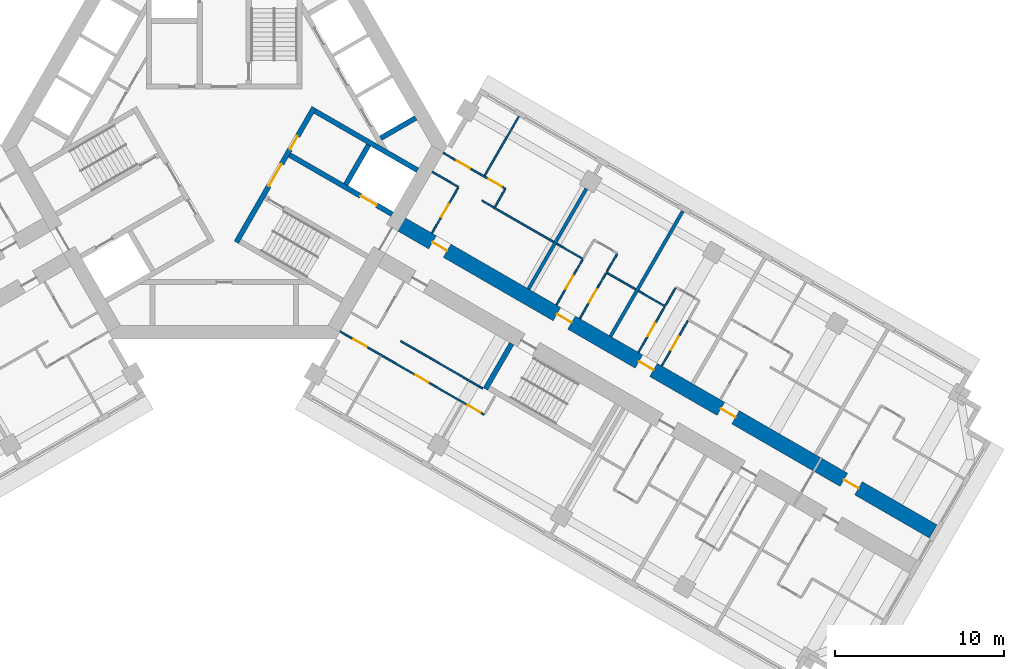
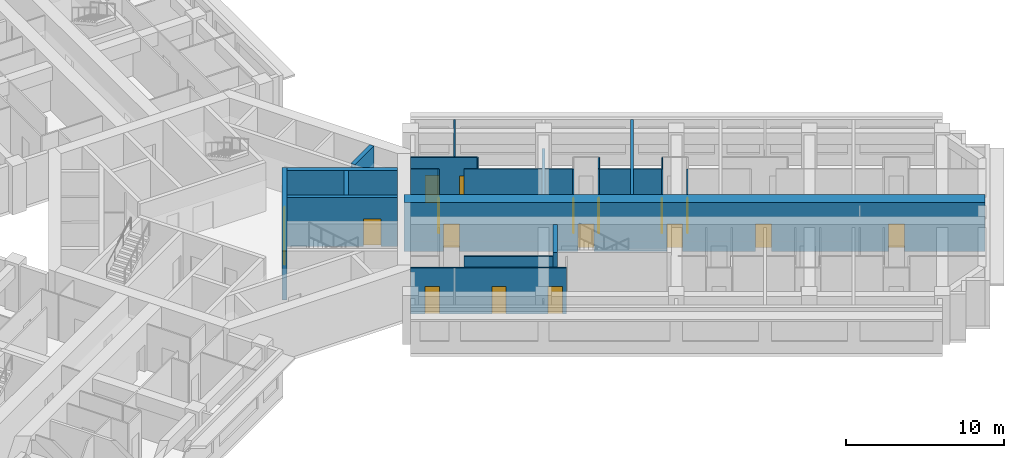
# One storey, part 7 of 15: 26 walls, 18 doors, 18 openings.
"""IFC4 building model written with IfcOpenShell, lengths in metres."""

from ifc_helpers import new_model, si_unit, direction, frame, frame_2d, origin, place, context, subcontext, project, spatial, rectangle, extrude, material, layer, layer_set, type_object, element, fill, save


model = new_model("IFC4")

# Units and contexts
model_context = context("Model", 3, precision=1e-05, world=origin(), true_north=direction((0.0, 1.0)))
body_context = subcontext(model_context, "Body", "Model", "MODEL_VIEW")
ifc_project = project(units=[si_unit("LENGTHUNIT", "METRE"), si_unit("AREAUNIT", "SQUARE_METRE"), si_unit("VOLUMEUNIT", "CUBIC_METRE"), si_unit("PLANEANGLEUNIT", "RADIAN"), si_unit("MASSUNIT", "GRAM", prefix="KILO")], contexts=[model_context])

# Site, building, storey
site_placement = place(None, origin())
site = spatial("IfcSite", under=ifc_project, at=site_placement, CompositionType="ELEMENT")
building_placement = place(site_placement, origin())
building = spatial("IfcBuilding", under=site, at=building_placement, Name="Impinga Residences", CompositionType="ELEMENT")
storey_placement = place(building_placement, frame((0.0, 0.0, 132.25)))
storey = spatial("IfcBuildingStorey", under=building, at=storey_placement, Name="L32", CompositionType="ELEMENT", Elevation=132.25)

# Wall, openings, doors
ifc_material_1 = material(Name="Concrete C60/75", Category="concrete")
ifc_layer_1 = layer(ifc_material_1, 0.89990234375)
ifc_layer_set_1 = layer_set([ifc_layer_1], Name="Concrete C60/75")
wall_type_1 = type_object("IfcWallType", Name="BW2 corridor buttress wall, L24 to L44 900", PredefinedType="SHEAR", material=ifc_layer_set_1)
wall_1_placement = place(storey_placement, frame((10.153564453125, -4.4765625, 0.0), z_axis=(0.0, 0.0, 1.0), x_axis=(0.866027614434, -0.499996171023, 0.0)))
wall_1 = element("IfcWall", 1, at=wall_1_placement, inside=storey, type_object=wall_type_1, Name="Corridor wall BW2 EC L32", PredefinedType="SHEAR", context=body_context, shape_type="SweptSolid", body=[
    extrude(rectangle(XDim=36.699951171875, YDim=0.89990234375, at=frame_2d((18.35009765625, 0.0))), origin(), (0.0, 0.0, 1.0), 3.75),
])
opening_1_placement = place(wall_1_placement, frame((2.5, 0.0, 0.0)))
opening_1 = element("IfcOpeningElement", 2, at=opening_1_placement, cuts=wall_1, Name="Opening D1", PredefinedType="OPENING", context=body_context, shape_type="SweptSolid", body=[
    extrude(rectangle(XDim=1.0, YDim=2.10009765625, at=frame_2d((0.5, 1.050048828125))), frame((0.0, 0.4599609375, 0.0), z_axis=(0.0, -1.0, 0.0), x_axis=(1.0, 0.0, 0.0)), (0.0, 0.0, 1.0), 0.919921875),
])
opening_2_placement = place(wall_1_placement, frame((11.0, 0.0, 0.0)))
opening_2 = element("IfcOpeningElement", 3, at=opening_2_placement, cuts=wall_1, Name="Opening D1", PredefinedType="OPENING", context=body_context, shape_type="SweptSolid", body=[
    extrude(rectangle(XDim=1.0, YDim=2.10009765625, at=frame_2d((0.5, 1.050048828125))), frame((0.0, 0.4599609375, 0.0), z_axis=(0.0, -1.0, 0.0), x_axis=(1.0, 0.0, 0.0)), (0.0, 0.0, 1.0), 0.919921875),
])
opening_3_placement = place(wall_1_placement, frame((16.60009765625, 0.0, 0.0)))
opening_3 = element("IfcOpeningElement", 4, at=opening_3_placement, cuts=wall_1, Name="Opening D1", PredefinedType="OPENING", context=body_context, shape_type="SweptSolid", body=[
    extrude(rectangle(XDim=1.0, YDim=2.10009765625, at=frame_2d((0.5, 1.050048828125))), frame((0.0, 0.4599609375, 0.0), z_axis=(0.0, -1.0, 0.0), x_axis=(1.0, 0.0, 0.0)), (0.0, 0.0, 1.0), 0.919921875),
])
opening_4_placement = place(wall_1_placement, frame((22.199951171875, 0.0, 0.0)))
opening_4 = element("IfcOpeningElement", 5, at=opening_4_placement, cuts=wall_1, Name="Opening D1", PredefinedType="OPENING", context=body_context, shape_type="SweptSolid", body=[
    extrude(rectangle(XDim=1.0, YDim=2.10009765625, at=frame_2d((0.5, 1.050048828125))), frame((0.0, 0.4599609375, 0.0), z_axis=(0.0, -1.0, 0.0), x_axis=(1.0, 0.0, 0.0)), (0.0, 0.0, 1.0), 0.919921875),
])
opening_5_placement = place(wall_1_placement, frame((30.60009765625, 0.0, 0.0)))
opening_5 = element("IfcOpeningElement", 6, at=opening_5_placement, cuts=wall_1, Name="Opening D1", PredefinedType="OPENING", context=body_context, shape_type="SweptSolid", body=[
    extrude(rectangle(XDim=1.0, YDim=2.10009765625, at=frame_2d((0.5, 1.050048828125))), frame((0.0, 0.4599609375, 0.0), z_axis=(0.0, -1.0, 0.0), x_axis=(1.0, 0.0, 0.0)), (0.0, 0.0, 1.0), 0.919921875),
])
ifc_material_2 = material(Name="Timber door set", Category="wood")
door_type_1 = type_object("IfcDoorType", Name="D1 apartment entrance door 1000x2100", OperationType="SINGLE_SWING_LEFT", PredefinedType="DOOR", material=ifc_material_2)
door_1_placement = place(opening_1_placement, origin())
door_1 = element("IfcDoor", 7, at=door_1_placement, inside=storey, type_object=door_type_1, Name="Apartment L32-EA1 entrance", OperationType="SINGLE_SWING_LEFT", OverallHeight=2.10009765625, OverallWidth=1.0, PredefinedType="DOOR", context=body_context, shape_type="SweptSolid", body=[
    extrude(rectangle(XDim=1.0, YDim=2.10009765625, at=frame_2d((0.5, 1.050048828125))), frame((0.0, 0.02490234375, 0.0), z_axis=(0.0, -1.0, 0.0), x_axis=(1.0, 0.0, 0.0)), (0.0, 0.0, 1.0), 0.050048828125),
])
fill(opening_1, door_1)
door_2_placement = place(opening_2_placement, origin())
door_2 = element("IfcDoor", 8, at=door_2_placement, inside=storey, type_object=door_type_1, Name="Apartment L32-EA2 entrance", OperationType="SINGLE_SWING_LEFT", OverallHeight=2.10009765625, OverallWidth=1.0, PredefinedType="DOOR", context=body_context, shape_type="SweptSolid", body=[
    extrude(rectangle(XDim=1.0, YDim=2.10009765625, at=frame_2d((0.5, 1.050048828125))), frame((0.0, 0.02490234375, 0.0), z_axis=(0.0, -1.0, 0.0), x_axis=(1.0, 0.0, 0.0)), (0.0, 0.0, 1.0), 0.050048828125),
])
fill(opening_2, door_2)
door_3_placement = place(opening_3_placement, origin())
door_3 = element("IfcDoor", 9, at=door_3_placement, inside=storey, type_object=door_type_1, Name="Apartment L32-EA3 entrance", OperationType="SINGLE_SWING_LEFT", OverallHeight=2.10009765625, OverallWidth=1.0, PredefinedType="DOOR", context=body_context, shape_type="SweptSolid", body=[
    extrude(rectangle(XDim=1.0, YDim=2.10009765625, at=frame_2d((0.5, 1.050048828125))), frame((0.0, 0.02490234375, 0.0), z_axis=(0.0, -1.0, 0.0), x_axis=(1.0, 0.0, 0.0)), (0.0, 0.0, 1.0), 0.050048828125),
])
fill(opening_3, door_3)
door_4_placement = place(opening_4_placement, origin())
door_4 = element("IfcDoor", 10, at=door_4_placement, inside=storey, type_object=door_type_1, Name="Apartment L32-EA4 entrance", OperationType="SINGLE_SWING_RIGHT", OverallHeight=2.10009765625, OverallWidth=1.0, PredefinedType="DOOR", context=body_context, shape_type="SweptSolid", body=[
    extrude(rectangle(XDim=1.0, YDim=2.10009765625, at=frame_2d((0.5, 1.050048828125))), frame((0.0, 0.02490234375, 0.0), z_axis=(0.0, -1.0, 0.0), x_axis=(1.0, 0.0, 0.0)), (0.0, 0.0, 1.0), 0.050048828125),
])
fill(opening_4, door_4)
door_5_placement = place(opening_5_placement, origin())
door_5 = element("IfcDoor", 11, at=door_5_placement, inside=storey, type_object=door_type_1, Name="Apartment L32-EA5 entrance", OperationType="SINGLE_SWING_RIGHT", OverallHeight=2.10009765625, OverallWidth=1.0, PredefinedType="DOOR", context=body_context, shape_type="SweptSolid", body=[
    extrude(rectangle(XDim=1.0, YDim=2.10009765625, at=frame_2d((0.5, 1.050048828125))), frame((0.0, 0.02490234375, 0.0), z_axis=(0.0, -1.0, 0.0), x_axis=(1.0, 0.0, 0.0)), (0.0, 0.0, 1.0), 0.050048828125),
])
fill(opening_5, door_5)

# Walls
ifc_material_3 = material(Name="Gypsum board on steel studs", Category="steel")
ifc_layer_2 = layer(ifc_material_3, 0.10009765625)
ifc_layer_set_2 = layer_set([ifc_layer_2], Name="Gypsum board on steel studs")
wall_type_2 = type_object("IfcWallType", Name="IP1 partition 100", PredefinedType="PARTITIONING", material=ifc_layer_set_2)
wall_2_placement = place(storey_placement, frame((12.300048828125, -1.558837890625, 0.0), z_axis=(0.0, 0.0, 1.0), x_axis=(0.866047807691, -0.499961193289, 0.0)))
element("IfcWall", 12, at=wall_2_placement, inside=storey, type_object=wall_type_2, Name="Partition L32-EA1:DIV0", PredefinedType="PARTITIONING", context=body_context, shape_type="SweptSolid", body=[
    extrude(rectangle(XDim=1.800048828125, YDim=0.10009765625, at=frame_2d((0.89990234375, 0.0))), origin(), (0.0, 0.0, 1.0), 3.530029296875),
])
wall_3_placement = place(storey_placement, frame((15.244384765625, -3.2587890625, 0.0), z_axis=(0.0, 0.0, 1.0), x_axis=(0.866036242063, -0.49998122708, 0.0)))
element("IfcWall", 13, at=wall_3_placement, inside=storey, type_object=wall_type_2, Name="Partition L32-EA1:DIV1", PredefinedType="PARTITIONING", context=body_context, shape_type="SweptSolid", body=[
    extrude(rectangle(XDim=4.900146484375, YDim=0.10009765625, at=frame_2d((2.4501953125, 0.0))), origin(), (0.0, 0.0, 1.0), 3.530029296875),
])

# Wall, openings, doors
wall_4_placement = place(storey_placement, frame((12.949951171875, -0.43310546875, 0.0), z_axis=(0.0, 0.0, 1.0), x_axis=(0.866028703517, -0.499994284652, 0.0)))
wall_4 = element("IfcWall", 14, at=wall_4_placement, inside=storey, type_object=wall_type_2, Name="Partition L32-EA1:STRIP", PredefinedType="PARTITIONING", context=body_context, shape_type="SweptSolid", body=[
    extrude(rectangle(XDim=4.25, YDim=0.10009765625, at=frame_2d((2.125, 0.0))), origin(), (0.0, 0.0, 1.0), 3.530029296875),
])
opening_6_placement = place(wall_4_placement, frame((0.925048828125, 0.0, 0.0)))
opening_6 = element("IfcOpeningElement", 15, at=opening_6_placement, cuts=wall_4, Name="Opening D2", PredefinedType="OPENING", context=body_context, shape_type="SweptSolid", body=[
    extrude(rectangle(XDim=0.89990234375, YDim=2.10009765625, at=frame_2d((0.449951171875, 1.050048828125))), frame((0.0, 0.06005859375, 0.0), z_axis=(0.0, -1.0, 0.0), x_axis=(1.0, 0.0, 0.0)), (0.0, 0.0, 1.0), 0.1201171875),
])
opening_7_placement = place(wall_4_placement, frame((3.10009765625, 0.0, 0.0)))
opening_7 = element("IfcOpeningElement", 16, at=opening_7_placement, cuts=wall_4, Name="Opening D2", PredefinedType="OPENING", context=body_context, shape_type="SweptSolid", body=[
    extrude(rectangle(XDim=0.89990234375, YDim=2.10009765625, at=frame_2d((0.449951171875, 1.050048828125))), frame((0.0, 0.06005859375, 0.0), z_axis=(0.0, -1.0, 0.0), x_axis=(1.0, 0.0, 0.0)), (0.0, 0.0, 1.0), 0.1201171875),
])
door_type_2 = type_object("IfcDoorType", Name="D2 internal door 900x2100", OperationType="SINGLE_SWING_LEFT", PredefinedType="DOOR", material=ifc_material_2)
door_6_placement = place(opening_6_placement, origin())
door_6 = element("IfcDoor", 17, at=door_6_placement, inside=storey, type_object=door_type_2, Name="Apartment L32-EA1 room door", OperationType="SINGLE_SWING_LEFT", OverallHeight=2.10009765625, OverallWidth=0.89990234375, PredefinedType="DOOR", context=body_context, shape_type="SweptSolid", body=[
    extrude(rectangle(XDim=0.89990234375, YDim=2.10009765625, at=frame_2d((0.449951171875, 1.050048828125))), frame((0.0, 0.02490234375, 0.0), z_axis=(0.0, -1.0, 0.0), x_axis=(1.0, 0.0, 0.0)), (0.0, 0.0, 1.0), 0.050048828125),
])
fill(opening_6, door_6)
door_7_placement = place(opening_7_placement, origin())
door_7 = element("IfcDoor", 18, at=door_7_placement, inside=storey, type_object=door_type_2, Name="Apartment L32-EA1 room door", OperationType="SINGLE_SWING_RIGHT", OverallHeight=2.10009765625, OverallWidth=0.89990234375, PredefinedType="DOOR", context=body_context, shape_type="SweptSolid", body=[
    extrude(rectangle(XDim=0.89990234375, YDim=2.10009765625, at=frame_2d((0.449951171875, 1.050048828125))), frame((0.0, 0.02490234375, 0.0), z_axis=(0.0, -1.0, 0.0), x_axis=(1.0, 0.0, 0.0)), (0.0, 0.0, 1.0), 0.050048828125),
])
fill(opening_7, door_7)

# Wall
wall_5_placement = place(storey_placement, frame((16.005615234375, -3.640625, 0.0), z_axis=(0.0, 0.0, 1.0), x_axis=(0.500033551112, 0.866006032174, 0.0)))
element("IfcWall", 19, at=wall_5_placement, inside=storey, type_object=wall_type_2, Name="Partition L32-EA1:SE1", PredefinedType="PARTITIONING", context=body_context, shape_type="SweptSolid", body=[
    extrude(rectangle(XDim=1.2001953125, YDim=0.10009765625, at=frame_2d((0.60009765625, 0.0))), origin(), (0.0, 0.0, 1.0), 3.530029296875),
])

# Wall, opening, door
wall_6_placement = place(storey_placement, frame((12.283935546875, -5.186767578125, 0.0), z_axis=(0.0, 0.0, 1.0), x_axis=(0.499967891604, 0.866043940782, 0.0)))
wall_6 = element("IfcWall", 20, at=wall_6_placement, inside=storey, type_object=wall_type_2, Name="Partition L32-EA1:IB1", PredefinedType="PARTITIONING", context=body_context, shape_type="SweptSolid", body=[
    extrude(rectangle(XDim=3.099853515625, YDim=0.10009765625, at=frame_2d((1.5498046875, 0.0))), origin(), (0.0, 0.0, 1.0), 3.530029296875),
])
opening_8_placement = place(wall_6_placement, frame((1.10009765625, 0.0, 0.0)))
opening_8 = element("IfcOpeningElement", 21, at=opening_8_placement, cuts=wall_6, Name="Opening D2", PredefinedType="OPENING", context=body_context, shape_type="SweptSolid", body=[
    extrude(rectangle(XDim=0.89990234375, YDim=2.10009765625, at=frame_2d((0.449951171875, 1.050048828125))), frame((0.0, 0.06005859375, 0.0), z_axis=(0.0, -1.0, 0.0), x_axis=(1.0, 0.0, 0.0)), (0.0, 0.0, 1.0), 0.1201171875),
])
door_8_placement = place(opening_8_placement, origin())
door_8 = element("IfcDoor", 22, at=door_8_placement, inside=storey, type_object=door_type_2, Name="Apartment L32-EA1 bathroom door", OperationType="SINGLE_SWING_LEFT", OverallHeight=2.10009765625, OverallWidth=0.89990234375, PredefinedType="DOOR", context=body_context, shape_type="SweptSolid", body=[
    extrude(rectangle(XDim=0.89990234375, YDim=2.10009765625, at=frame_2d((0.449951171875, 1.050048828125))), frame((0.0, 0.02490234375, 0.0), z_axis=(0.0, -1.0, 0.0), x_axis=(1.0, 0.0, 0.0)), (0.0, 0.0, 1.0), 0.050048828125),
])
fill(opening_8, door_8)

# Walls
wall_7_placement = place(storey_placement, frame((15.39990234375, -1.789794921875, 0.0), z_axis=(0.0, 0.0, 1.0), x_axis=(0.499964223975, 0.866046058097, 0.0)))
element("IfcWall", 23, at=wall_7_placement, inside=storey, type_object=wall_type_2, Name="Partition L32-EA1:OB1", PredefinedType="PARTITIONING", context=body_context, shape_type="SweptSolid", body=[
    extrude(rectangle(XDim=4.050048828125, YDim=0.10009765625, at=frame_2d((2.02490234375, 0.0))), origin(), (0.0, 0.0, 1.0), 3.530029296875),
])
wall_8_placement = place(storey_placement, frame((19.6611328125, -5.808837890625, 0.0), z_axis=(0.0, 0.0, 1.0), x_axis=(0.866047807691, -0.499961193289, 0.0)))
element("IfcWall", 24, at=wall_8_placement, inside=storey, type_object=wall_type_2, Name="Partition L32-EA2:DIV0", PredefinedType="PARTITIONING", context=body_context, shape_type="SweptSolid", body=[
    extrude(rectangle(XDim=1.800048828125, YDim=0.10009765625, at=frame_2d((0.89990234375, 0.0))), origin(), (0.0, 0.0, 1.0), 3.530029296875),
])
wall_9_placement = place(storey_placement, frame((22.605712890625, -7.5087890625, 0.0), z_axis=(0.0, 0.0, 1.0), x_axis=(0.866010750942, -0.50002537861, 0.0)))
element("IfcWall", 25, at=wall_9_placement, inside=storey, type_object=wall_type_2, Name="Partition L32-EA2:DIV1", PredefinedType="PARTITIONING", context=body_context, shape_type="SweptSolid", body=[
    extrude(rectangle(XDim=2.0, YDim=0.10009765625, at=frame_2d((1.0, 0.0))), origin(), (0.0, 0.0, 1.0), 3.530029296875),
])
wall_10_placement = place(storey_placement, frame((22.630615234375, -7.465576171875, 0.0), z_axis=(0.0, 0.0, 1.0), x_axis=(0.500033551112, 0.866006032174, 0.0)))
element("IfcWall", 26, at=wall_10_placement, inside=storey, type_object=wall_type_2, Name="Partition L32-EA2:SE1", PredefinedType="PARTITIONING", context=body_context, shape_type="SweptSolid", body=[
    extrude(rectangle(XDim=1.2001953125, YDim=0.10009765625, at=frame_2d((0.60009765625, 0.0))), origin(), (0.0, 0.0, 1.0), 3.530029296875),
])

# Wall, opening, door
wall_11_placement = place(storey_placement, frame((19.64501953125, -9.436767578125, 0.0), z_axis=(0.0, 0.0, 1.0), x_axis=(0.500026960575, 0.86600983753, 0.0)))
wall_11 = element("IfcWall", 27, at=wall_11_placement, inside=storey, type_object=wall_type_2, Name="Partition L32-EA2:IB1", PredefinedType="PARTITIONING", context=body_context, shape_type="SweptSolid", body=[
    extrude(rectangle(XDim=3.099853515625, YDim=0.10009765625, at=frame_2d((1.5498046875, 0.0))), origin(), (0.0, 0.0, 1.0), 3.530029296875),
])
opening_9_placement = place(wall_11_placement, frame((1.10009765625, 0.0, 0.0)))
opening_9 = element("IfcOpeningElement", 28, at=opening_9_placement, cuts=wall_11, Name="Opening D2", PredefinedType="OPENING", context=body_context, shape_type="SweptSolid", body=[
    extrude(rectangle(XDim=0.89990234375, YDim=2.10009765625, at=frame_2d((0.449951171875, 1.050048828125))), frame((0.0, 0.06005859375, 0.0), z_axis=(0.0, -1.0, 0.0), x_axis=(1.0, 0.0, 0.0)), (0.0, 0.0, 1.0), 0.1201171875),
])
door_9_placement = place(opening_9_placement, origin())
door_9 = element("IfcDoor", 29, at=door_9_placement, inside=storey, type_object=door_type_2, Name="Apartment L32-EA2 bathroom door", OperationType="SINGLE_SWING_LEFT", OverallHeight=2.10009765625, OverallWidth=0.89990234375, PredefinedType="DOOR", context=body_context, shape_type="SweptSolid", body=[
    extrude(rectangle(XDim=0.89990234375, YDim=2.10009765625, at=frame_2d((0.449951171875, 1.050048828125))), frame((0.0, 0.02490234375, 0.0), z_axis=(0.0, -1.0, 0.0), x_axis=(1.0, 0.0, 0.0)), (0.0, 0.0, 1.0), 0.050048828125),
])
fill(opening_9, door_9)

wall_12_placement = place(storey_placement, frame((21.03076171875, -10.23681640625, 0.0), z_axis=(0.0, 0.0, 1.0), x_axis=(0.500026960575, 0.86600983753, 0.0)))
wall_12 = element("IfcWall", 30, at=wall_12_placement, inside=storey, type_object=wall_type_2, Name="Partition L32-EA2:IB2", PredefinedType="PARTITIONING", context=body_context, shape_type="SweptSolid", body=[
    extrude(rectangle(XDim=3.099853515625, YDim=0.10009765625, at=frame_2d((1.5498046875, 0.0))), origin(), (0.0, 0.0, 1.0), 3.530029296875),
])
opening_10_placement = place(wall_12_placement, frame((1.10009765625, 0.0, 0.0)))
opening_10 = element("IfcOpeningElement", 31, at=opening_10_placement, cuts=wall_12, Name="Opening D2", PredefinedType="OPENING", context=body_context, shape_type="SweptSolid", body=[
    extrude(rectangle(XDim=0.89990234375, YDim=2.10009765625, at=frame_2d((0.449951171875, 1.050048828125))), frame((0.0, 0.06005859375, 0.0), z_axis=(0.0, -1.0, 0.0), x_axis=(1.0, 0.0, 0.0)), (0.0, 0.0, 1.0), 0.1201171875),
])
door_10_placement = place(opening_10_placement, origin())
door_10 = element("IfcDoor", 32, at=door_10_placement, inside=storey, type_object=door_type_2, Name="Apartment L32-EA2 WC door", OperationType="SINGLE_SWING_LEFT", OverallHeight=2.10009765625, OverallWidth=0.89990234375, PredefinedType="DOOR", context=body_context, shape_type="SweptSolid", body=[
    extrude(rectangle(XDim=0.89990234375, YDim=2.10009765625, at=frame_2d((0.449951171875, 1.050048828125))), frame((0.0, 0.02490234375, 0.0), z_axis=(0.0, -1.0, 0.0), x_axis=(1.0, 0.0, 0.0)), (0.0, 0.0, 1.0), 0.050048828125),
])
fill(opening_10, door_10)

# Walls
wall_13_placement = place(storey_placement, frame((24.510986328125, -8.60888671875, 0.0), z_axis=(0.0, 0.0, 1.0), x_axis=(0.866047807691, -0.499961193289, 0.0)))
element("IfcWall", 33, at=wall_13_placement, inside=storey, type_object=wall_type_2, Name="Partition L32-EA3:DIV0", PredefinedType="PARTITIONING", context=body_context, shape_type="SweptSolid", body=[
    extrude(rectangle(XDim=1.800048828125, YDim=0.10009765625, at=frame_2d((0.89990234375, 0.0))), origin(), (0.0, 0.0, 1.0), 3.530029296875),
])
wall_14_placement = place(storey_placement, frame((26.0947265625, -9.465576171875, 0.0), z_axis=(0.0, 0.0, 1.0), x_axis=(0.500033551112, 0.866006032174, 0.0)))
element("IfcWall", 34, at=wall_14_placement, inside=storey, type_object=wall_type_2, Name="Partition L32-EA3:SE0", PredefinedType="PARTITIONING", context=body_context, shape_type="SweptSolid", body=[
    extrude(rectangle(XDim=1.2001953125, YDim=0.10009765625, at=frame_2d((0.60009765625, 0.0))), origin(), (0.0, 0.0, 1.0), 3.530029296875),
])

# Wall, opening, door
wall_15_placement = place(storey_placement, frame((24.494873046875, -12.23681640625, 0.0), z_axis=(0.0, 0.0, 1.0), x_axis=(0.500026960575, 0.86600983753, 0.0)))
wall_15 = element("IfcWall", 35, at=wall_15_placement, inside=storey, type_object=wall_type_2, Name="Partition L32-EA3:IB1", PredefinedType="PARTITIONING", context=body_context, shape_type="SweptSolid", body=[
    extrude(rectangle(XDim=3.099853515625, YDim=0.10009765625, at=frame_2d((1.5498046875, 0.0))), origin(), (0.0, 0.0, 1.0), 3.530029296875),
])
opening_11_placement = place(wall_15_placement, frame((1.10009765625, 0.0, 0.0)))
opening_11 = element("IfcOpeningElement", 36, at=opening_11_placement, cuts=wall_15, Name="Opening D2", PredefinedType="OPENING", context=body_context, shape_type="SweptSolid", body=[
    extrude(rectangle(XDim=0.89990234375, YDim=2.10009765625, at=frame_2d((0.449951171875, 1.050048828125))), frame((0.0, 0.06005859375, 0.0), z_axis=(0.0, -1.0, 0.0), x_axis=(1.0, 0.0, 0.0)), (0.0, 0.0, 1.0), 0.1201171875),
])
door_11_placement = place(opening_11_placement, origin())
door_11 = element("IfcDoor", 37, at=door_11_placement, inside=storey, type_object=door_type_2, Name="Apartment L32-EA3 bathroom door", OperationType="SINGLE_SWING_LEFT", OverallHeight=2.10009765625, OverallWidth=0.89990234375, PredefinedType="DOOR", context=body_context, shape_type="SweptSolid", body=[
    extrude(rectangle(XDim=0.89990234375, YDim=2.10009765625, at=frame_2d((0.449951171875, 1.050048828125))), frame((0.0, 0.02490234375, 0.0), z_axis=(0.0, -1.0, 0.0), x_axis=(1.0, 0.0, 0.0)), (0.0, 0.0, 1.0), 0.050048828125),
])
fill(opening_11, door_11)

wall_16_placement = place(storey_placement, frame((25.88037109375, -13.036865234375, 0.0), z_axis=(0.0, 0.0, 1.0), x_axis=(0.49999285859, 0.86602952684, 0.0)))
wall_16 = element("IfcWall", 38, at=wall_16_placement, inside=storey, type_object=wall_type_2, Name="Partition L32-EA3:IB2", PredefinedType="PARTITIONING", context=body_context, shape_type="SweptSolid", body=[
    extrude(rectangle(XDim=3.10009765625, YDim=0.10009765625, at=frame_2d((1.550048828125, 0.0))), origin(), (0.0, 0.0, 1.0), 3.530029296875),
])
opening_12_placement = place(wall_16_placement, frame((1.10009765625, 0.0, 0.0)))
opening_12 = element("IfcOpeningElement", 39, at=opening_12_placement, cuts=wall_16, Name="Opening D2", PredefinedType="OPENING", context=body_context, shape_type="SweptSolid", body=[
    extrude(rectangle(XDim=0.89990234375, YDim=2.10009765625, at=frame_2d((0.449951171875, 1.050048828125))), frame((0.0, 0.06005859375, 0.0), z_axis=(0.0, -1.0, 0.0), x_axis=(1.0, 0.0, 0.0)), (0.0, 0.0, 1.0), 0.1201171875),
])
door_12_placement = place(opening_12_placement, origin())
door_12 = element("IfcDoor", 40, at=door_12_placement, inside=storey, type_object=door_type_2, Name="Apartment L32-EA3 WC door", OperationType="SINGLE_SWING_LEFT", OverallHeight=2.10009765625, OverallWidth=0.89990234375, PredefinedType="DOOR", context=body_context, shape_type="SweptSolid", body=[
    extrude(rectangle(XDim=0.89990234375, YDim=2.10009765625, at=frame_2d((0.449951171875, 1.050048828125))), frame((0.0, 0.02490234375, 0.0), z_axis=(0.0, -1.0, 0.0), x_axis=(1.0, 0.0, 0.0)), (0.0, 0.0, 1.0), 0.050048828125),
])
fill(opening_12, door_12)

# Wall
wall_17_placement = place(storey_placement, frame((10.444580078125, -11.57275390625, 0.0), z_axis=(0.0, 0.0, 1.0), x_axis=(0.866015695474, -0.500016814911, 0.0)))
element("IfcWall", 41, at=wall_17_placement, inside=storey, type_object=wall_type_2, Name="Partition L32-EF1:DIV1", PredefinedType="PARTITIONING", context=body_context, shape_type="SweptSolid", body=[
    extrude(rectangle(XDim=5.599853515625, YDim=0.10009765625, at=frame_2d((2.7998046875, 0.0))), origin(), (0.0, 0.0, 1.0), 3.530029296875),
])

# Wall, openings, doors
wall_18_placement = place(storey_placement, frame((6.85009765625, -10.99853515625, 0.0), z_axis=(0.0, 0.0, 1.0), x_axis=(0.866021308241, -0.500007093622, 0.0)))
wall_18 = element("IfcWall", 42, at=wall_18_placement, inside=storey, type_object=wall_type_2, Name="Partition L32-EF1:STRIP", PredefinedType="PARTITIONING", context=body_context, shape_type="SweptSolid", body=[
    extrude(rectangle(XDim=9.849853515625, YDim=0.10009765625, at=frame_2d((4.9248046875, 0.0))), origin(), (0.0, 0.0, 1.0), 3.530029296875),
])
opening_13_placement = place(wall_18_placement, frame((0.925048828125, 0.0, 0.0)))
opening_13 = element("IfcOpeningElement", 43, at=opening_13_placement, cuts=wall_18, Name="Opening D2", PredefinedType="OPENING", context=body_context, shape_type="SweptSolid", body=[
    extrude(rectangle(XDim=0.89990234375, YDim=2.10009765625, at=frame_2d((0.449951171875, 1.050048828125))), frame((0.0, 0.06005859375, 0.0), z_axis=(0.0, -1.0, 0.0), x_axis=(1.0, 0.0, 0.0)), (0.0, 0.0, 1.0), 0.1201171875),
])
opening_14_placement = place(wall_18_placement, frame((5.14990234375, 0.0, 0.0)))
opening_14 = element("IfcOpeningElement", 44, at=opening_14_placement, cuts=wall_18, Name="Opening D2", PredefinedType="OPENING", context=body_context, shape_type="SweptSolid", body=[
    extrude(rectangle(XDim=0.89990234375, YDim=2.10009765625, at=frame_2d((0.449951171875, 1.050048828125))), frame((0.0, 0.06005859375, 0.0), z_axis=(0.0, -1.0, 0.0), x_axis=(1.0, 0.0, 0.0)), (0.0, 0.0, 1.0), 0.1201171875),
])
opening_15_placement = place(wall_18_placement, frame((8.699951171875, 0.0, 0.0)))
opening_15 = element("IfcOpeningElement", 45, at=opening_15_placement, cuts=wall_18, Name="Opening D2", PredefinedType="OPENING", context=body_context, shape_type="SweptSolid", body=[
    extrude(rectangle(XDim=0.89990234375, YDim=2.10009765625, at=frame_2d((0.449951171875, 1.050048828125))), frame((0.0, 0.06005859375, 0.0), z_axis=(0.0, -1.0, 0.0), x_axis=(1.0, 0.0, 0.0)), (0.0, 0.0, 1.0), 0.1201171875),
])
door_13_placement = place(opening_13_placement, origin())
door_13 = element("IfcDoor", 46, at=door_13_placement, inside=storey, type_object=door_type_2, Name="Apartment L32-EF1 room door", OperationType="SINGLE_SWING_LEFT", OverallHeight=2.10009765625, OverallWidth=0.89990234375, PredefinedType="DOOR", context=body_context, shape_type="SweptSolid", body=[
    extrude(rectangle(XDim=0.89990234375, YDim=2.10009765625, at=frame_2d((0.449951171875, 1.050048828125))), frame((0.0, 0.02490234375, 0.0), z_axis=(0.0, -1.0, 0.0), x_axis=(1.0, 0.0, 0.0)), (0.0, 0.0, 1.0), 0.050048828125),
])
fill(opening_13, door_13)
door_14_placement = place(opening_14_placement, origin())
door_14 = element("IfcDoor", 47, at=door_14_placement, inside=storey, type_object=door_type_2, Name="Apartment L32-EF1 room door", OperationType="SINGLE_SWING_RIGHT", OverallHeight=2.10009765625, OverallWidth=0.89990234375, PredefinedType="DOOR", context=body_context, shape_type="SweptSolid", body=[
    extrude(rectangle(XDim=0.89990234375, YDim=2.10009765625, at=frame_2d((0.449951171875, 1.050048828125))), frame((0.0, 0.02490234375, 0.0), z_axis=(0.0, -1.0, 0.0), x_axis=(1.0, 0.0, 0.0)), (0.0, 0.0, 1.0), 0.050048828125),
])
fill(opening_14, door_14)
door_15_placement = place(opening_15_placement, origin())
door_15 = element("IfcDoor", 48, at=door_15_placement, inside=storey, type_object=door_type_2, Name="Apartment L32-EF1 room door", OperationType="SINGLE_SWING_RIGHT", OverallHeight=2.10009765625, OverallWidth=0.89990234375, PredefinedType="DOOR", context=body_context, shape_type="SweptSolid", body=[
    extrude(rectangle(XDim=0.89990234375, YDim=2.10009765625, at=frame_2d((0.449951171875, 1.050048828125))), frame((0.0, 0.02490234375, 0.0), z_axis=(0.0, -1.0, 0.0), x_axis=(1.0, 0.0, 0.0)), (0.0, 0.0, 1.0), 0.050048828125),
])
fill(opening_15, door_15)

# Walls
ifc_material_4 = material(Name="Concrete blockwork", Category="masonry")
ifc_layer_3 = layer(ifc_material_4, 0.199951171875)
ifc_layer_set_3 = layer_set([ifc_layer_3], Name="PW1 party wall between apartments 200")
wall_type_3 = type_object("IfcWallType", Name="PW1 party wall between apartments 200", PredefinedType="SOLIDWALL", material=ifc_layer_set_3)
wall_19_placement = place(storey_placement, frame((17.99951171875, -8.48681640625, 0.0), z_axis=(0.0, 0.0, 1.0), x_axis=(0.499999086063, 0.866025931445, 0.0)))
element("IfcWall", 49, at=wall_19_placement, inside=storey, type_object=wall_type_3, Name="Party wall between apartments L32-EA1:PARTY", PredefinedType="SOLIDWALL", context=body_context, shape_type="SweptSolid", body=[
    extrude(rectangle(XDim=6.85009765625, YDim=0.199951171875, at=frame_2d((3.425048828125, 0.0))), origin(), (0.0, 0.0, 1.0), 2.47998046875),
])
wall_20_placement = place(storey_placement, frame((22.849365234375, -11.286865234375, 0.0), z_axis=(0.0, 0.0, 1.0), x_axis=(0.499990227581, 0.86603104582, 0.0)))
element("IfcWall", 50, at=wall_20_placement, inside=storey, type_object=wall_type_3, Name="Party wall between apartments L32-EA2:PARTY", PredefinedType="SOLIDWALL", context=body_context, shape_type="SweptSolid", body=[
    extrude(rectangle(XDim=8.550048828125, YDim=0.199951171875, at=frame_2d((4.27490234375, 0.0))), origin(), (0.0, 0.0, 1.0), 3.530029296875),
])
ifc_layer_4 = layer(ifc_material_1, 0.300048828125)
ifc_layer_set_4 = layer_set([ifc_layer_4], Name="Concrete C60/75")
wall_type_4 = type_object("IfcWallType", Name="SE1 wing stair enclosure wall 300", PredefinedType="SOLIDWALL", material=ifc_layer_set_4)
wall_21_placement = place(storey_placement, frame((16.9990234375, -11.7197265625, 0.0), z_axis=(0.0, 0.0, 1.0), x_axis=(-0.499967891604, -0.866043940782, 0.0)))
element("IfcWall", 51, at=wall_21_placement, inside=storey, type_object=wall_type_4, Name="Stair enclosure wall SE1 E END0 L32", PredefinedType="SOLIDWALL", context=body_context, shape_type="SweptSolid", body=[
    extrude(rectangle(XDim=3.099853515625, YDim=0.300048828125, at=frame_2d((1.5498046875, 0.0))), origin(), (0.0, 0.0, 1.0), 3.75),
])

# Wall, openings, doors
ifc_material_5 = material(Name="Concrete C70/85", Category="concrete")
ifc_layer_5 = layer(ifc_material_5, 0.300048828125)
ifc_layer_set_5 = layer_set([ifc_layer_5], Name="Concrete C70/85")
wall_type_5 = type_object("IfcWallType", Name="SW5 core inner wall, stairs, shafts and lobbies 300", PredefinedType="SHEAR", material=ifc_layer_set_5)
wall_22_placement = place(storey_placement, frame((5.313720703125, 2.24365234375, 0.0), z_axis=(0.0, 0.0, 1.0), x_axis=(-0.499995050369, -0.866028261437, 0.0)))
wall_22 = element("IfcWall", 52, at=wall_22_placement, inside=storey, type_object=wall_type_5, Name="Core wall SW5 E:ZONE L32", PredefinedType="SHEAR", context=body_context, shape_type="SweptSolid", body=[
    extrude(rectangle(XDim=9.19970703125, YDim=0.300048828125, at=frame_2d((4.599853515625, 0.0))), origin(), (0.0, 0.0, 1.0), 3.75),
])
opening_16_placement = place(wall_22_placement, frame((3.85009765625, 0.0, 0.0)))
opening_16 = element("IfcOpeningElement", 53, at=opening_16_placement, cuts=wall_22, Name="Opening D4", PredefinedType="OPENING", context=body_context, shape_type="SweptSolid", body=[
    extrude(rectangle(XDim=1.5, YDim=2.10009765625, at=frame_2d((0.75, 1.050048828125))), frame((0.0, 0.159912109375, 0.0), z_axis=(0.0, -1.0, 0.0), x_axis=(1.0, 0.0, 0.0)), (0.0, 0.0, 1.0), 0.320068359375),
])
opening_17_placement = place(wall_22_placement, frame((1.949951171875, 0.0, 0.0)))
opening_17 = element("IfcOpeningElement", 54, at=opening_17_placement, cuts=wall_22, Name="Opening D6", PredefinedType="OPENING", context=body_context, shape_type="SweptSolid", body=[
    extrude(rectangle(XDim=0.89990234375, YDim=2.10009765625, at=frame_2d((0.449951171875, 1.050048828125))), frame((0.0, 0.159912109375, 0.0), z_axis=(0.0, -1.0, 0.0), x_axis=(1.0, 0.0, 0.0)), (0.0, 0.0, 1.0), 0.320068359375),
])
door_type_3 = type_object("IfcDoorType", Name="D4 lobby door pair 1500x2100", OperationType="DOUBLE_DOOR_DOUBLE_SWING", PredefinedType="DOOR", material=ifc_material_2)
door_16_placement = place(opening_16_placement, origin())
door_16 = element("IfcDoor", 55, at=door_16_placement, inside=storey, type_object=door_type_3, Name="Firefighting lobby door E", OperationType="DOUBLE_DOOR_DOUBLE_SWING", OverallHeight=2.10009765625, OverallWidth=1.5, PredefinedType="DOOR", context=body_context, shape_type="SweptSolid", body=[
    extrude(rectangle(XDim=1.5, YDim=2.10009765625, at=frame_2d((0.75, 1.050048828125))), frame((0.0, 0.02490234375, 0.0), z_axis=(0.0, -1.0, 0.0), x_axis=(1.0, 0.0, 0.0)), (0.0, 0.0, 1.0), 0.050048828125),
])
fill(opening_16, door_16)
door_type_4 = type_object("IfcDoorType", Name="D6 riser and store door 900x2100", OperationType="SINGLE_SWING_LEFT", PredefinedType="DOOR", material=ifc_material_2)
door_17_placement = place(opening_17_placement, origin())
door_17 = element("IfcDoor", 56, at=door_17_placement, inside=storey, type_object=door_type_4, Name="Riser door E", OperationType="SINGLE_SWING_LEFT", OverallHeight=2.10009765625, OverallWidth=0.89990234375, PredefinedType="DOOR", context=body_context, shape_type="SweptSolid", body=[
    extrude(rectangle(XDim=0.89990234375, YDim=2.10009765625, at=frame_2d((0.449951171875, 1.050048828125))), frame((0.0, 0.02490234375, 0.0), z_axis=(0.0, -1.0, 0.0), x_axis=(1.0, 0.0, 0.0)), (0.0, 0.0, 1.0), 0.050048828125),
])
fill(opening_17, door_17)

# Wall, opening, door
wall_23_placement = place(storey_placement, frame((3.86865234375, -0.559326171875, 0.0), z_axis=(0.0, 0.0, 1.0), x_axis=(0.866026480128, -0.499998135713, 0.0)))
wall_23 = element("IfcWall", 57, at=wall_23_placement, inside=storey, type_object=wall_type_5, Name="Core wall SW5 E:FF-IN L32", PredefinedType="SHEAR", context=body_context, shape_type="SweptSolid", body=[
    extrude(rectangle(XDim=7.00146484375, YDim=0.300048828125, at=frame_2d((3.500732421875, 0.0))), origin(), (0.0, 0.0, 1.0), 3.75),
])
opening_18_placement = place(wall_23_placement, frame((4.85009765625, 0.0, 0.0)))
opening_18 = element("IfcOpeningElement", 58, at=opening_18_placement, cuts=wall_23, Name="Opening LD2", PredefinedType="OPENING", context=body_context, shape_type="SweptSolid", body=[
    extrude(rectangle(XDim=1.10009765625, YDim=2.10009765625, at=frame_2d((0.550048828125, 1.050048828125))), frame((0.0, 0.159912109375, 0.0), z_axis=(0.0, -1.0, 0.0), x_axis=(1.0, 0.0, 0.0)), (0.0, 0.0, 1.0), 0.320068359375),
])
ifc_material_6 = material(Name="Steel lift landing door", Category="steel")
door_type_5 = type_object("IfcDoorType", Name="LD2 firefighting lift landing door 1100x2100", OperationType="DOUBLE_DOOR_SLIDING", PredefinedType="DOOR", material=ifc_material_6)
door_18_placement = place(opening_18_placement, origin())
door_18 = element("IfcDoor", 59, at=door_18_placement, inside=storey, type_object=door_type_5, Name="Firefighting lift landing door F3", OperationType="DOUBLE_DOOR_SLIDING", OverallHeight=2.10009765625, OverallWidth=1.10009765625, PredefinedType="DOOR", context=body_context, shape_type="SweptSolid", body=[
    extrude(rectangle(XDim=1.10009765625, YDim=2.10009765625, at=frame_2d((0.550048828125, 1.050048828125))), frame((0.0, 0.02490234375, 0.0), z_axis=(0.0, -1.0, 0.0), x_axis=(1.0, 0.0, 0.0)), (0.0, 0.0, 1.0), 0.050048828125),
])
fill(opening_18, door_18)

# Walls
wall_24_placement = place(storey_placement, frame((5.36865234375, 2.038818359375, 0.0), z_axis=(0.0, 0.0, 1.0), x_axis=(0.866026480128, -0.499998135713, 0.0)))
element("IfcWall", 60, at=wall_24_placement, inside=storey, type_object=wall_type_5, Name="Core wall SW5 E:FF-OUT L32", PredefinedType="SHEAR", context=body_context, shape_type="SweptSolid", body=[
    extrude(rectangle(XDim=7.00146484375, YDim=0.300048828125, at=frame_2d((3.500732421875, 0.0))), origin(), (0.0, 0.0, 1.0), 3.75),
])
wall_25_placement = place(storey_placement, frame((8.541259765625, 0.033935546875, 0.0), z_axis=(0.0, 0.0, 1.0), x_axis=(-0.50000943426, -0.866019956843, 0.0)))
element("IfcWall", 61, at=wall_25_placement, inside=storey, type_object=wall_type_5, Name="Core wall SW5 E:FF-RS L32", PredefinedType="SHEAR", context=body_context, shape_type="SweptSolid", body=[
    extrude(rectangle(XDim=2.7001953125, YDim=0.300048828125, at=frame_2d((1.35009765625, 0.0))), origin(), (0.0, 0.0, 1.0), 3.75),
])
wall_26_placement = place(storey_placement, frame((9.253662109375, 0.43505859375, 0.0), z_axis=(0.0, 0.0, 1.0), x_axis=(0.866006032174, 0.500033551112, 0.0)))
element("IfcWall", 62, at=wall_26_placement, inside=storey, type_object=wall_type_5, Name="Core wall SW5 W:BANK-R L32", PredefinedType="SHEAR", context=body_context, shape_type="SweptSolid", body=[
    extrude(rectangle(XDim=2.400146484375, YDim=0.300048828125, at=frame_2d((1.2001953125, 0.0))), origin(), (0.0, 0.0, 1.0), 3.75),
])

save(model, "model.ifc")
